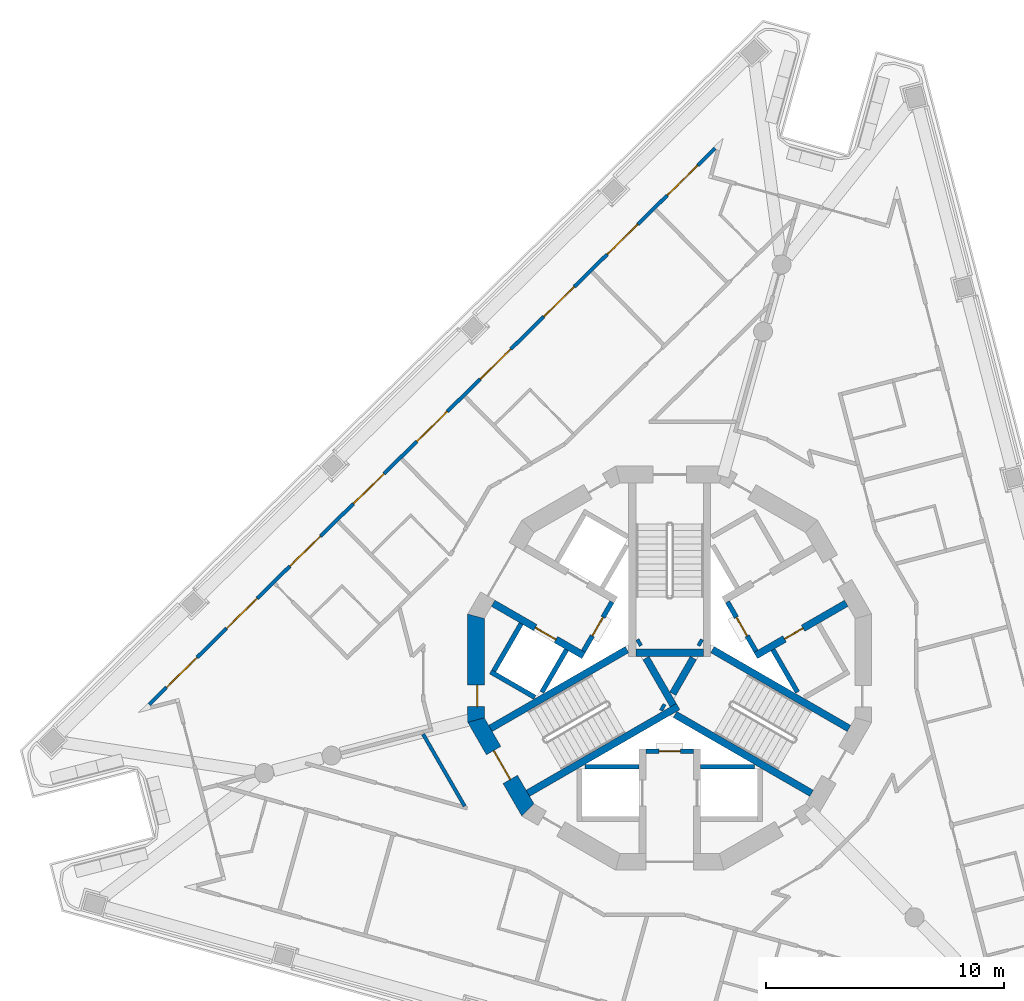
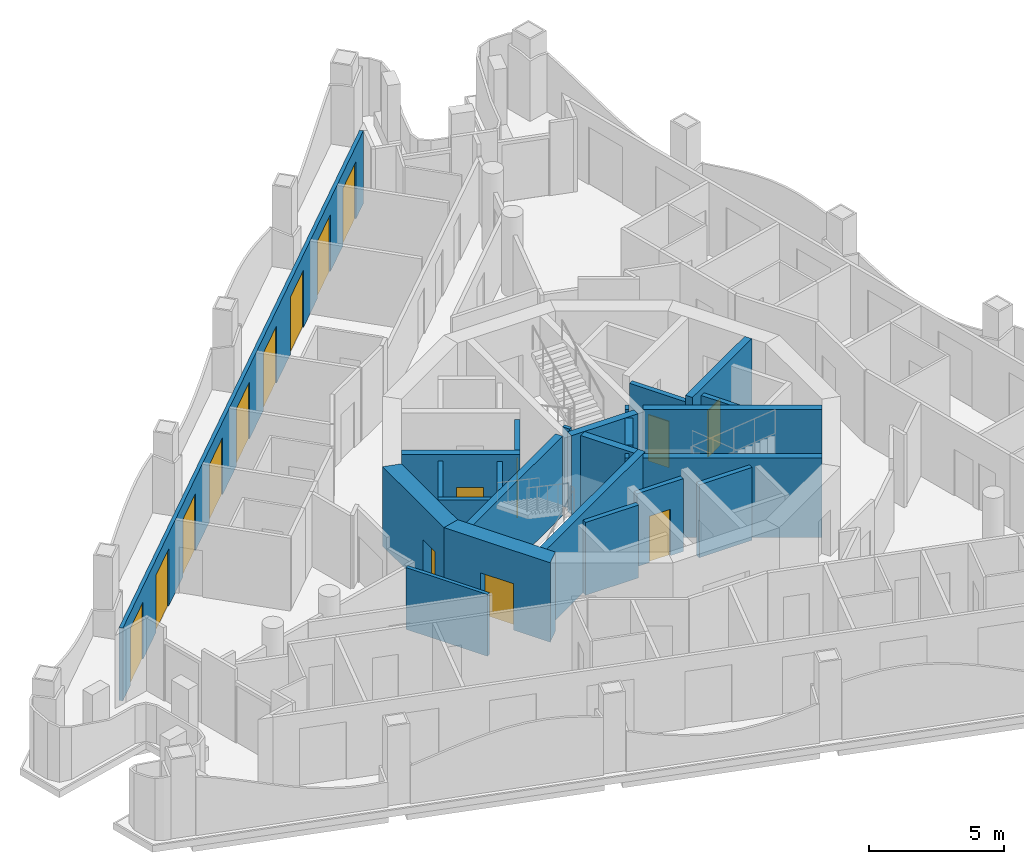
# One storey, part 4 of 14: 25 walls, 16 doors, 16 openings.
"""IFC4 building model written with IfcOpenShell, lengths in metres."""

from ifc_helpers import new_model, si_unit, direction, frame, frame_2d, origin, place, context, subcontext, project, spatial, polyline, rectangle, outline, extrude, material, layer, layer_set, type_object, element, fill, save


model = new_model("IFC4")

# Units and contexts
model_context = context("Model", 3, precision=1e-05, world=origin(), true_north=direction((0.0, 1.0)))
body_context = subcontext(model_context, "Body", "Model", "MODEL_VIEW")
ifc_project = project(units=[si_unit("LENGTHUNIT", "METRE"), si_unit("AREAUNIT", "SQUARE_METRE"), si_unit("VOLUMEUNIT", "CUBIC_METRE"), si_unit("PLANEANGLEUNIT", "RADIAN"), si_unit("MASSUNIT", "GRAM", prefix="KILO")], contexts=[model_context])

# Site, building, storey
site_placement = place(None, origin())
site = spatial("IfcSite", under=ifc_project, at=site_placement, CompositionType="ELEMENT")
building_placement = place(site_placement, origin())
building = spatial("IfcBuilding", under=site, at=building_placement, Name="Trine Commons Tower", CompositionType="ELEMENT")
storey_placement = place(building_placement, frame((0.0, 0.0, 252.89990234375)))
storey = spatial("IfcBuildingStorey", under=building, at=storey_placement, Name="L66", CompositionType="ELEMENT", Elevation=252.89990234375)

# Wall, openings, doors
ifc_material_1 = material(Name="Aluminium-framed insulated wall panel", Category="aluminium")
ifc_layer_1 = layer(ifc_material_1, 0.14990234375)
ifc_layer_set_1 = layer_set([ifc_layer_1], Name="Aluminium-framed insulated wall panel")
wall_type_1 = type_object("IfcWallType", Name="Glazed frame wall 150, EI 60", PredefinedType="SOLIDWALL", material=ifc_layer_set_1)
wall_1_placement = place(storey_placement, frame((57.98974609375, 60.867431640625, 0.0), z_axis=(0.0, 0.0, 1.0), x_axis=(0.713254682671, 0.700904956216, 0.0)))
wall_1 = element("IfcWall", 1, at=wall_1_placement, inside=storey, type_object=wall_type_1, Name="Glazed frame wall F1", PredefinedType="SOLIDWALL", context=body_context, shape_type="SweptSolid", body=[
    extrude(outline(polyline([(0.1494140625, 0.074951171875), (0.1494140625, -0.074951171875), (33.536865234375, -0.074951171875), (33.536865234375, 0.074951171875), (0.1494140625, 0.074951171875)])), origin(), (0.0, 0.0, 1.0), 3.300048828125),
])
opening_1_placement = place(wall_1_placement, frame((1.17138671875, 0.0, 0.0)))
opening_1 = element("IfcOpeningElement", 2, at=opening_1_placement, cuts=wall_1, Name="Opening BD-7F1-01", PredefinedType="OPENING", context=body_context, shape_type="SweptSolid", body=[
    extrude(rectangle(XDim=1.800048828125, YDim=2.60009765625, at=frame_2d((0.89990234375, 1.300048828125))), frame((0.0, 0.0849609375, 0.0), z_axis=(0.0, -1.0, 0.0), x_axis=(1.0, 0.0, 0.0)), (0.0, 0.0, 1.0), 0.169921875),
])
opening_2_placement = place(wall_1_placement, frame((4.71435546875, 0.0, 0.0)))
opening_2 = element("IfcOpeningElement", 3, at=opening_2_placement, cuts=wall_1, Name="Opening BD-7F1-02", PredefinedType="OPENING", context=body_context, shape_type="SweptSolid", body=[
    extrude(rectangle(XDim=1.800048828125, YDim=2.60009765625, at=frame_2d((0.89990234375, 1.300048828125))), frame((0.0, 0.0849609375, 0.0), z_axis=(0.0, -1.0, 0.0), x_axis=(1.0, 0.0, 0.0)), (0.0, 0.0, 1.0), 0.169921875),
])
opening_3_placement = place(wall_1_placement, frame((8.457275390625, 0.0, 0.0)))
opening_3 = element("IfcOpeningElement", 4, at=opening_3_placement, cuts=wall_1, Name="Opening BD-7F1-03", PredefinedType="OPENING", context=body_context, shape_type="SweptSolid", body=[
    extrude(rectangle(XDim=1.800048828125, YDim=2.60009765625, at=frame_2d((0.89990234375, 1.300048828125))), frame((0.0, 0.0849609375, 0.0), z_axis=(0.0, -1.0, 0.0), x_axis=(1.0, 0.0, 0.0)), (0.0, 0.0, 1.0), 0.169921875),
])
opening_4_placement = place(wall_1_placement, frame((12.2001953125, 0.0, 0.0)))
opening_4 = element("IfcOpeningElement", 5, at=opening_4_placement, cuts=wall_1, Name="Opening BD-7F1-04", PredefinedType="OPENING", context=body_context, shape_type="SweptSolid", body=[
    extrude(rectangle(XDim=1.800048828125, YDim=2.60009765625, at=frame_2d((0.89990234375, 1.300048828125))), frame((0.0, 0.0849609375, 0.0), z_axis=(0.0, -1.0, 0.0), x_axis=(1.0, 0.0, 0.0)), (0.0, 0.0, 1.0), 0.169921875),
])
opening_5_placement = place(wall_1_placement, frame((15.943115234375, 0.0, 0.0)))
opening_5 = element("IfcOpeningElement", 6, at=opening_5_placement, cuts=wall_1, Name="Opening BD-7F1-05", PredefinedType="OPENING", context=body_context, shape_type="SweptSolid", body=[
    extrude(rectangle(XDim=1.800048828125, YDim=2.60009765625, at=frame_2d((0.89990234375, 1.300048828125))), frame((0.0, 0.0849609375, 0.0), z_axis=(0.0, -1.0, 0.0), x_axis=(1.0, 0.0, 0.0)), (0.0, 0.0, 1.0), 0.169921875),
])
opening_6_placement = place(wall_1_placement, frame((19.68603515625, 0.0, 0.0)))
opening_6 = element("IfcOpeningElement", 7, at=opening_6_placement, cuts=wall_1, Name="Opening BD-7F1-06", PredefinedType="OPENING", context=body_context, shape_type="SweptSolid", body=[
    extrude(rectangle(XDim=1.800048828125, YDim=2.60009765625, at=frame_2d((0.89990234375, 1.300048828125))), frame((0.0, 0.0849609375, 0.0), z_axis=(0.0, -1.0, 0.0), x_axis=(1.0, 0.0, 0.0)), (0.0, 0.0, 1.0), 0.169921875),
])
opening_7_placement = place(wall_1_placement, frame((23.428955078125, 0.0, 0.0)))
opening_7 = element("IfcOpeningElement", 8, at=opening_7_placement, cuts=wall_1, Name="Opening BD-7F1-07", PredefinedType="OPENING", context=body_context, shape_type="SweptSolid", body=[
    extrude(rectangle(XDim=1.800048828125, YDim=2.60009765625, at=frame_2d((0.89990234375, 1.300048828125))), frame((0.0, 0.0849609375, 0.0), z_axis=(0.0, -1.0, 0.0), x_axis=(1.0, 0.0, 0.0)), (0.0, 0.0, 1.0), 0.169921875),
])
opening_8_placement = place(wall_1_placement, frame((27.171875, 0.0, 0.0)))
opening_8 = element("IfcOpeningElement", 9, at=opening_8_placement, cuts=wall_1, Name="Opening BD-7F1-08", PredefinedType="OPENING", context=body_context, shape_type="SweptSolid", body=[
    extrude(rectangle(XDim=1.800048828125, YDim=2.60009765625, at=frame_2d((0.89990234375, 1.300048828125))), frame((0.0, 0.0849609375, 0.0), z_axis=(0.0, -1.0, 0.0), x_axis=(1.0, 0.0, 0.0)), (0.0, 0.0, 1.0), 0.169921875),
])
opening_9_placement = place(wall_1_placement, frame((30.714599609375, 0.0, 0.0)))
opening_9 = element("IfcOpeningElement", 10, at=opening_9_placement, cuts=wall_1, Name="Opening BD-7F1-09", PredefinedType="OPENING", context=body_context, shape_type="SweptSolid", body=[
    extrude(rectangle(XDim=1.800048828125, YDim=2.60009765625, at=frame_2d((0.89990234375, 1.300048828125))), frame((0.0, 0.0849609375, 0.0), z_axis=(0.0, -1.0, 0.0), x_axis=(1.0, 0.0, 0.0)), (0.0, 0.0, 1.0), 0.169921875),
])
ifc_material_2 = material(Name="Anodised aluminium frame with double glazing", Category="aluminium")
door_type_1 = type_object("IfcDoorType", Name="Sliding loggia door 1800x2600", OperationType="SLIDING_TO_LEFT", PredefinedType="DOOR", material=ifc_material_2)
door_1_placement = place(opening_1_placement, origin())
door_1 = element("IfcDoor", 11, at=door_1_placement, inside=storey, type_object=door_type_1, Name="Loggia door F1 1", OperationType="SLIDING_TO_LEFT", OverallHeight=2.60009765625, OverallWidth=1.800048828125, PredefinedType="DOOR", context=body_context, shape_type="SweptSolid", body=[
    extrude(rectangle(XDim=1.800048828125, YDim=2.60009765625, at=frame_2d((0.89990234375, 1.300048828125))), frame((0.0, 0.02490234375, 0.0), z_axis=(0.0, -1.0, 0.0), x_axis=(1.0, 0.0, 0.0)), (0.0, 0.0, 1.0), 0.050048828125),
])
fill(opening_1, door_1)
door_2_placement = place(opening_2_placement, origin())
door_2 = element("IfcDoor", 12, at=door_2_placement, inside=storey, type_object=door_type_1, Name="Loggia door F1 2", OperationType="SLIDING_TO_LEFT", OverallHeight=2.60009765625, OverallWidth=1.800048828125, PredefinedType="DOOR", context=body_context, shape_type="SweptSolid", body=[
    extrude(rectangle(XDim=1.800048828125, YDim=2.60009765625, at=frame_2d((0.89990234375, 1.300048828125))), frame((0.0, 0.02490234375, 0.0), z_axis=(0.0, -1.0, 0.0), x_axis=(1.0, 0.0, 0.0)), (0.0, 0.0, 1.0), 0.050048828125),
])
fill(opening_2, door_2)
door_3_placement = place(opening_3_placement, origin())
door_3 = element("IfcDoor", 13, at=door_3_placement, inside=storey, type_object=door_type_1, Name="Loggia door F1 3", OperationType="SLIDING_TO_LEFT", OverallHeight=2.60009765625, OverallWidth=1.800048828125, PredefinedType="DOOR", context=body_context, shape_type="SweptSolid", body=[
    extrude(rectangle(XDim=1.800048828125, YDim=2.60009765625, at=frame_2d((0.89990234375, 1.300048828125))), frame((0.0, 0.02490234375, 0.0), z_axis=(0.0, -1.0, 0.0), x_axis=(1.0, 0.0, 0.0)), (0.0, 0.0, 1.0), 0.050048828125),
])
fill(opening_3, door_3)
door_4_placement = place(opening_4_placement, origin())
door_4 = element("IfcDoor", 14, at=door_4_placement, inside=storey, type_object=door_type_1, Name="Loggia door F1 4", OperationType="SLIDING_TO_LEFT", OverallHeight=2.60009765625, OverallWidth=1.800048828125, PredefinedType="DOOR", context=body_context, shape_type="SweptSolid", body=[
    extrude(rectangle(XDim=1.800048828125, YDim=2.60009765625, at=frame_2d((0.89990234375, 1.300048828125))), frame((0.0, 0.02490234375, 0.0), z_axis=(0.0, -1.0, 0.0), x_axis=(1.0, 0.0, 0.0)), (0.0, 0.0, 1.0), 0.050048828125),
])
fill(opening_4, door_4)
door_5_placement = place(opening_5_placement, origin())
door_5 = element("IfcDoor", 15, at=door_5_placement, inside=storey, type_object=door_type_1, Name="Loggia door F1 5", OperationType="SLIDING_TO_LEFT", OverallHeight=2.60009765625, OverallWidth=1.800048828125, PredefinedType="DOOR", context=body_context, shape_type="SweptSolid", body=[
    extrude(rectangle(XDim=1.800048828125, YDim=2.60009765625, at=frame_2d((0.89990234375, 1.300048828125))), frame((0.0, 0.02490234375, 0.0), z_axis=(0.0, -1.0, 0.0), x_axis=(1.0, 0.0, 0.0)), (0.0, 0.0, 1.0), 0.050048828125),
])
fill(opening_5, door_5)
door_6_placement = place(opening_6_placement, origin())
door_6 = element("IfcDoor", 16, at=door_6_placement, inside=storey, type_object=door_type_1, Name="Loggia door F1 6", OperationType="SLIDING_TO_LEFT", OverallHeight=2.60009765625, OverallWidth=1.800048828125, PredefinedType="DOOR", context=body_context, shape_type="SweptSolid", body=[
    extrude(rectangle(XDim=1.800048828125, YDim=2.60009765625, at=frame_2d((0.89990234375, 1.300048828125))), frame((0.0, 0.02490234375, 0.0), z_axis=(0.0, -1.0, 0.0), x_axis=(1.0, 0.0, 0.0)), (0.0, 0.0, 1.0), 0.050048828125),
])
fill(opening_6, door_6)
door_7_placement = place(opening_7_placement, origin())
door_7 = element("IfcDoor", 17, at=door_7_placement, inside=storey, type_object=door_type_1, Name="Loggia door F1 7", OperationType="SLIDING_TO_LEFT", OverallHeight=2.60009765625, OverallWidth=1.800048828125, PredefinedType="DOOR", context=body_context, shape_type="SweptSolid", body=[
    extrude(rectangle(XDim=1.800048828125, YDim=2.60009765625, at=frame_2d((0.89990234375, 1.300048828125))), frame((0.0, 0.02490234375, 0.0), z_axis=(0.0, -1.0, 0.0), x_axis=(1.0, 0.0, 0.0)), (0.0, 0.0, 1.0), 0.050048828125),
])
fill(opening_7, door_7)
door_8_placement = place(opening_8_placement, origin())
door_8 = element("IfcDoor", 18, at=door_8_placement, inside=storey, type_object=door_type_1, Name="Loggia door F1 8", OperationType="SLIDING_TO_LEFT", OverallHeight=2.60009765625, OverallWidth=1.800048828125, PredefinedType="DOOR", context=body_context, shape_type="SweptSolid", body=[
    extrude(rectangle(XDim=1.800048828125, YDim=2.60009765625, at=frame_2d((0.89990234375, 1.300048828125))), frame((0.0, 0.02490234375, 0.0), z_axis=(0.0, -1.0, 0.0), x_axis=(1.0, 0.0, 0.0)), (0.0, 0.0, 1.0), 0.050048828125),
])
fill(opening_8, door_8)
door_9_placement = place(opening_9_placement, origin())
door_9 = element("IfcDoor", 19, at=door_9_placement, inside=storey, type_object=door_type_1, Name="Loggia door F1 9", OperationType="SLIDING_TO_LEFT", OverallHeight=2.60009765625, OverallWidth=1.800048828125, PredefinedType="DOOR", context=body_context, shape_type="SweptSolid", body=[
    extrude(rectangle(XDim=1.800048828125, YDim=2.60009765625, at=frame_2d((0.89990234375, 1.300048828125))), frame((0.0, 0.02490234375, 0.0), z_axis=(0.0, -1.0, 0.0), x_axis=(1.0, 0.0, 0.0)), (0.0, 0.0, 1.0), 0.050048828125),
])
fill(opening_9, door_9)

# Wall, opening, door
ifc_material_3 = material(Name="Fire-rated gypsum shaft wall system")
ifc_layer_2 = layer(ifc_material_3, 0.199951171875)
ifc_layer_set_2 = layer_set([ifc_layer_2], Name="Fire-rated gypsum shaft wall system")
wall_type_2 = type_object("IfcWallType", Name="Lobby end wall 200 mm, EI 120", PredefinedType="PARTITIONING", material=ifc_layer_set_2)
wall_2_placement = place(storey_placement, frame((77.569091796875, 65.2890625, 0.0), z_axis=(0.0, 0.0, 1.0), x_axis=(-0.50012165622, -0.865955154139, 0.0)))
wall_2 = element("IfcWall", 20, at=wall_2_placement, inside=storey, type_object=wall_type_2, Name="Lobby end wall L66", PredefinedType="PARTITIONING", context=body_context, shape_type="SweptSolid", body=[
    extrude(rectangle(XDim=2.39990234375, YDim=0.199951171875, at=frame_2d((1.199951171875, 0.0))), origin(), (0.0, 0.0, 1.0), 3.300048828125),
])
opening_10_placement = place(wall_2_placement, frame((0.749755859375, 0.0, 0.0)))
opening_10 = element("IfcOpeningElement", 21, at=opening_10_placement, cuts=wall_2, Name="Opening K16.07", PredefinedType="OPENING", context=body_context, shape_type="SweptSolid", body=[
    extrude(rectangle(XDim=0.89990234375, YDim=2.10009765625, at=frame_2d((0.449951171875, 1.050048828125))), frame((0.0, 0.10986328125, 0.0), z_axis=(0.0, -1.0, 0.0), x_axis=(1.0, 0.0, 0.0)), (0.0, 0.0, 1.0), 0.219970703125),
])
ifc_material_4 = material(Name="Steel door leaf, fire-rated", Category="steel")
door_type_2 = type_object("IfcDoorType", Name="Riser access door, single leaf 900 x 2100, FD60", OperationType="SINGLE_SWING_LEFT", PredefinedType="DOOR", material=ifc_material_4)
door_10_placement = place(opening_10_placement, frame((0.89990234375, 0.0, 0.0), z_axis=(0.0, 0.0, 1.0), x_axis=(-1.0, 0.0, 0.0)))
door_10 = element("IfcDoor", 22, at=door_10_placement, inside=storey, type_object=door_type_2, Name="Riser door, Mechanical riser L66", OperationType="SINGLE_SWING_RIGHT", OverallHeight=2.10009765625, OverallWidth=0.89990234375, PredefinedType="DOOR", context=body_context, shape_type="SweptSolid", body=[
    extrude(rectangle(XDim=0.89990234375, YDim=2.10009765625, at=frame_2d((0.449951171875, 1.050048828125))), frame((0.0, 0.02490234375, 0.0), z_axis=(0.0, -1.0, 0.0), x_axis=(1.0, 0.0, 0.0)), (0.0, 0.0, 1.0), 0.050048828125),
])
fill(opening_10, door_10)

wall_3_placement = place(storey_placement, frame((79.0, 59.0, 0.0), z_axis=(0.0, 0.0, 1.0), x_axis=(1.0, 0.0, 0.0)))
wall_3 = element("IfcWall", 23, at=wall_3_placement, inside=storey, type_object=wall_type_2, Name="Lobby end wall L66", PredefinedType="PARTITIONING", context=body_context, shape_type="SweptSolid", body=[
    extrude(rectangle(XDim=2.0, YDim=0.199951171875, at=frame_2d((1.0, 0.0))), origin(), (0.0, 0.0, 1.0), 3.300048828125),
])
opening_11_placement = place(wall_3_placement, frame((0.550048828125, 0.0, 0.0)))
opening_11 = element("IfcOpeningElement", 24, at=opening_11_placement, cuts=wall_3, Name="Opening K16.09", PredefinedType="OPENING", context=body_context, shape_type="SweptSolid", body=[
    extrude(rectangle(XDim=0.89990234375, YDim=2.10009765625, at=frame_2d((0.449951171875, 1.050048828125))), frame((0.0, 0.10986328125, 0.0), z_axis=(0.0, -1.0, 0.0), x_axis=(1.0, 0.0, 0.0)), (0.0, 0.0, 1.0), 0.219970703125),
])
door_11_placement = place(opening_11_placement, frame((0.89990234375, 0.0, 0.0), z_axis=(0.0, 0.0, 1.0), x_axis=(-1.0, 0.0, 0.0)))
door_11 = element("IfcDoor", 25, at=door_11_placement, inside=storey, type_object=door_type_2, Name="Riser door, Communications riser L66", OperationType="SINGLE_SWING_RIGHT", OverallHeight=2.10009765625, OverallWidth=0.89990234375, PredefinedType="DOOR", context=body_context, shape_type="SweptSolid", body=[
    extrude(rectangle(XDim=0.89990234375, YDim=2.10009765625, at=frame_2d((0.449951171875, 1.050048828125))), frame((0.0, 0.02490234375, 0.0), z_axis=(0.0, -1.0, 0.0), x_axis=(1.0, 0.0, 0.0)), (0.0, 0.0, 1.0), 0.050048828125),
])
fill(opening_11, door_11)

wall_4_placement = place(storey_placement, frame((83.631103515625, 63.2109375, 0.0), z_axis=(0.0, 0.0, 1.0), x_axis=(-0.50012165622, 0.865955154139, 0.0)))
wall_4 = element("IfcWall", 26, at=wall_4_placement, inside=storey, type_object=wall_type_2, Name="Lobby end wall L66", PredefinedType="PARTITIONING", context=body_context, shape_type="SweptSolid", body=[
    extrude(rectangle(XDim=2.39990234375, YDim=0.199951171875, at=frame_2d((1.199951171875, 0.0))), origin(), (0.0, 0.0, 1.0), 3.300048828125),
])
opening_12_placement = place(wall_4_placement, frame((0.749755859375, 0.0, 0.0)))
opening_12 = element("IfcOpeningElement", 27, at=opening_12_placement, cuts=wall_4, Name="Opening K16.05", PredefinedType="OPENING", context=body_context, shape_type="SweptSolid", body=[
    extrude(rectangle(XDim=0.89990234375, YDim=2.10009765625, at=frame_2d((0.449951171875, 1.050048828125))), frame((0.0, 0.10986328125, 0.0), z_axis=(0.0, -1.0, 0.0), x_axis=(1.0, 0.0, 0.0)), (0.0, 0.0, 1.0), 0.219970703125),
])
door_12_placement = place(opening_12_placement, frame((0.89990234375, 0.0, 0.0), z_axis=(0.0, 0.0, 1.0), x_axis=(-1.0, 0.0, 0.0)))
door_12 = element("IfcDoor", 28, at=door_12_placement, inside=storey, type_object=door_type_2, Name="Riser door, Electrical riser L66", OperationType="SINGLE_SWING_LEFT", OverallHeight=2.10009765625, OverallWidth=0.89990234375, PredefinedType="DOOR", context=body_context, shape_type="SweptSolid", body=[
    extrude(rectangle(XDim=0.89990234375, YDim=2.10009765625, at=frame_2d((0.449951171875, 1.050048828125))), frame((0.0, 0.02490234375, 0.0), z_axis=(0.0, -1.0, 0.0), x_axis=(1.0, 0.0, 0.0)), (0.0, 0.0, 1.0), 0.050048828125),
])
fill(opening_12, door_12)

ifc_material_5 = material(Name="Concrete C50/60", Category="concrete")
ifc_layer_3 = layer(ifc_material_5, 0.300048828125)
ifc_layer_set_3 = layer_set([ifc_layer_3], Name="Concrete C50/60")
wall_type_3 = type_object("IfcWallType", Name="RC shear wall 300 mm, C50/60", PredefinedType="SHEAR", material=ifc_layer_set_3)
wall_5_placement = place(storey_placement, frame((76.381103515625, 63.031005859375, 0.0), z_axis=(0.0, 0.0, 1.0), x_axis=(-0.866059941101, 0.499940174841, 0.0)))
wall_5 = element("IfcWall", 29, at=wall_5_placement, inside=storey, type_object=wall_type_3, Name="Core cross wall SWC-01 L66", PredefinedType="SHEAR", context=body_context, shape_type="SweptSolid", body=[
    extrude(rectangle(XDim=4.400390625, YDim=0.300048828125, at=frame_2d((2.2001953125, 0.0))), origin(), (0.0, 0.0, 1.0), 3.60009765625),
])
opening_13_placement = place(wall_5_placement, frame((1.350341796875, 0.0, 0.0)))
opening_13 = element("IfcOpeningElement", 30, at=opening_13_placement, cuts=wall_5, Name="Opening LD7", PredefinedType="OPENING", context=body_context, shape_type="SweptSolid", body=[
    extrude(rectangle(XDim=1.0, YDim=2.10009765625, at=frame_2d((0.5, 1.050048828125))), frame((0.0, 0.159912109375, 0.0), z_axis=(0.0, -1.0, 0.0), x_axis=(1.0, 0.0, 0.0)), (0.0, 0.0, 1.0), 0.320068359375),
])
ifc_material_6 = material(Name="Stainless steel sliding door leaves", Category="steel")
door_type_3 = type_object("IfcDoorType", Name="Lift landing door, centre-opening sliding 1000 x 2100, FD90", OperationType="DOUBLE_DOOR_SLIDING", PredefinedType="DOOR", material=ifc_material_6)
door_13_placement = place(opening_13_placement, origin())
door_13 = element("IfcDoor", 31, at=door_13_placement, inside=storey, type_object=door_type_3, Name="Lift landing door HR3 L66", OperationType="DOUBLE_DOOR_SLIDING", OverallHeight=2.10009765625, OverallWidth=1.0, PredefinedType="DOOR", context=body_context, shape_type="SweptSolid", body=[
    extrude(rectangle(XDim=1.0, YDim=2.10009765625, at=frame_2d((0.5, 1.050048828125))), frame((0.0, 0.02490234375, 0.0), z_axis=(0.0, -1.0, 0.0), x_axis=(1.0, 0.0, 0.0)), (0.0, 0.0, 1.0), 0.050048828125),
])
fill(opening_13, door_13)

wall_6_placement = place(storey_placement, frame((83.618896484375, 63.031005859375, 0.0), z_axis=(0.0, 0.0, 1.0), x_axis=(0.866059941101, 0.499940174841, 0.0)))
wall_6 = element("IfcWall", 32, at=wall_6_placement, inside=storey, type_object=wall_type_3, Name="Core cross wall SWC-06 L66", PredefinedType="SHEAR", context=body_context, shape_type="SweptSolid", body=[
    extrude(rectangle(XDim=4.400390625, YDim=0.300048828125, at=frame_2d((2.2001953125, 0.0))), origin(), (0.0, 0.0, 1.0), 3.60009765625),
])
opening_14_placement = place(wall_6_placement, frame((1.400390625, 0.0, 0.0)))
opening_14 = element("IfcOpeningElement", 33, at=opening_14_placement, cuts=wall_6, Name="Opening K16.11", PredefinedType="OPENING", context=body_context, shape_type="SweptSolid", body=[
    extrude(rectangle(XDim=0.89990234375, YDim=2.10009765625, at=frame_2d((0.449951171875, 1.050048828125))), frame((0.0, 0.159912109375, 0.0), z_axis=(0.0, -1.0, 0.0), x_axis=(1.0, 0.0, 0.0)), (0.0, 0.0, 1.0), 0.320068359375),
])
door_type_4 = type_object("IfcDoorType", Name="Core room door, single leaf 900 x 2100, FD30S", OperationType="SINGLE_SWING_LEFT", PredefinedType="DOOR", material=ifc_material_4)
door_14_placement = place(opening_14_placement, frame((0.89990234375, 0.0, 0.0), z_axis=(0.0, 0.0, 1.0), x_axis=(-1.0, 0.0, 0.0)))
door_14 = element("IfcDoor", 34, at=door_14_placement, inside=storey, type_object=door_type_4, Name="Door to Pantry L66", OperationType="SINGLE_SWING_LEFT", OverallHeight=2.10009765625, OverallWidth=0.89990234375, PredefinedType="DOOR", context=body_context, shape_type="SweptSolid", body=[
    extrude(rectangle(XDim=0.89990234375, YDim=2.10009765625, at=frame_2d((0.449951171875, 1.050048828125))), frame((0.0, 0.02490234375, 0.0), z_axis=(0.0, -1.0, 0.0), x_axis=(1.0, 0.0, 0.0)), (0.0, 0.0, 1.0), 0.050048828125),
])
fill(opening_14, door_14)

# Walls
wall_7_placement = place(storey_placement, frame((78.199951171875, 63.280029296875, 0.0), z_axis=(0.0, 0.0, 1.0), x_axis=(-0.866009627307, -0.500027324665, 0.0)))
element("IfcWall", 35, at=wall_7_placement, inside=storey, type_object=wall_type_3, Name="Core cross wall SWC-07 L66", PredefinedType="SHEAR", context=body_context, shape_type="SweptSolid", body=[
    extrude(rectangle(XDim=6.631591796875, YDim=0.300048828125, at=frame_2d((3.31591796875, 0.0))), origin(), (0.0, 0.0, 1.0), 3.60009765625),
])
wall_8_placement = place(storey_placement, frame((78.779052734375, 63.614013671875, 0.0), z_axis=(0.0, 0.0, 1.0), x_axis=(-0.867737973955, -0.497021939713, 0.0)))
element("IfcWall", 36, at=wall_8_placement, inside=storey, type_object=wall_type_3, Name="Core cross wall SWC-09 L66", PredefinedType="SHEAR", context=body_context, shape_type="SweptSolid", body=[
    extrude(rectangle(XDim=0.14892578125, YDim=0.300048828125, at=frame_2d((0.074462890625, 0.0))), origin(), (0.0, 0.0, 1.0), 3.60009765625),
])
wall_9_placement = place(storey_placement, frame((79.0029296875, 62.926025390625, 0.0), z_axis=(0.0, 0.0, 1.0), x_axis=(0.499965247104, -0.866045467449, 0.0)))
element("IfcWall", 37, at=wall_9_placement, inside=storey, type_object=wall_type_3, Name="Core cross wall SWC-10 L66", PredefinedType="SHEAR", context=body_context, shape_type="SweptSolid", body=[
    extrude(rectangle(XDim=2.292236328125, YDim=0.300048828125, at=frame_2d((1.14599609375, 0.0))), origin(), (0.0, 0.0, 1.0), 3.60009765625),
])
wall_10_placement = place(storey_placement, frame((79.64599609375, 60.885986328125, 0.0), z_axis=(0.0, 0.0, 1.0), x_axis=(0.867331893649, -0.497730234424, 0.0)))
element("IfcWall", 38, at=wall_10_placement, inside=storey, type_object=wall_type_3, Name="Core cross wall SWC-11 L66", PredefinedType="SHEAR", context=body_context, shape_type="SweptSolid", body=[
    extrude(rectangle(XDim=0.148681640625, YDim=0.300048828125, at=frame_2d((0.07421875, 0.0))), origin(), (0.0, 0.0, 1.0), 3.60009765625),
])
wall_11_placement = place(storey_placement, frame((80.1298828125, 61.424072265625, 0.0), z_axis=(0.0, 0.0, 1.0), x_axis=(0.500014901547, 0.866016800201, 0.0)))
element("IfcWall", 39, at=wall_11_placement, inside=storey, type_object=wall_type_3, Name="Core cross wall SWC-12 L66", PredefinedType="SHEAR", context=body_context, shape_type="SweptSolid", body=[
    extrude(rectangle(XDim=1.734375, YDim=0.300048828125, at=frame_2d((0.8671875, 0.0))), origin(), (0.0, 0.0, 1.0), 3.60009765625),
])
wall_12_placement = place(storey_placement, frame((80.22509765625, 60.552001953125, 0.0), z_axis=(0.0, 0.0, 1.0), x_axis=(0.866009627307, -0.500027324665, 0.0)))
element("IfcWall", 40, at=wall_12_placement, inside=storey, type_object=wall_type_3, Name="Core cross wall SWC-13 L66", PredefinedType="SHEAR", context=body_context, shape_type="SweptSolid", body=[
    extrude(rectangle(XDim=6.631591796875, YDim=0.300048828125, at=frame_2d((3.31591796875, 0.0))), origin(), (0.0, 0.0, 1.0), 3.60009765625),
])
wall_13_placement = place(storey_placement, frame((80.35400390625, 60.885986328125, 0.0), z_axis=(0.0, 0.0, 1.0), x_axis=(-0.866032430508, -0.49998782916, 0.0)))
element("IfcWall", 41, at=wall_13_placement, inside=storey, type_object=wall_type_3, Name="Core cross wall SWC-14 L66", PredefinedType="SHEAR", context=body_context, shape_type="SweptSolid", body=[
    extrude(rectangle(XDim=7.300048828125, YDim=0.300048828125, at=frame_2d((3.64990234375, 0.0))), origin(), (0.0, 0.0, 1.0), 3.60009765625),
])
wall_14_placement = place(storey_placement, frame((81.220947265625, 63.614013671875, 0.0), z_axis=(0.0, 0.0, 1.0), x_axis=(0.867737973955, -0.497021939713, 0.0)))
element("IfcWall", 42, at=wall_14_placement, inside=storey, type_object=wall_type_3, Name="Core cross wall SWC-15 L66", PredefinedType="SHEAR", context=body_context, shape_type="SweptSolid", body=[
    extrude(rectangle(XDim=0.14892578125, YDim=0.300048828125, at=frame_2d((0.074462890625, 0.0))), origin(), (0.0, 0.0, 1.0), 3.60009765625),
])
wall_15_placement = place(storey_placement, frame((81.425048828125, 63.15087890625, 0.0), z_axis=(0.0, 0.0, 1.0), x_axis=(-1.0, 0.0, 0.0)))
element("IfcWall", 43, at=wall_15_placement, inside=storey, type_object=wall_type_3, Name="Core cross wall SWC-16 L66", PredefinedType="SHEAR", context=body_context, shape_type="SweptSolid", body=[
    extrude(rectangle(XDim=2.85009765625, YDim=0.300048828125, at=frame_2d((1.425048828125, 0.0))), origin(), (0.0, 0.0, 1.0), 3.60009765625),
])
wall_16_placement = place(storey_placement, frame((81.800048828125, 63.280029296875, 0.0), z_axis=(0.0, 0.0, 1.0), x_axis=(0.866009627307, -0.500027324665, 0.0)))
element("IfcWall", 44, at=wall_16_placement, inside=storey, type_object=wall_type_3, Name="Core cross wall SWC-18 L66", PredefinedType="SHEAR", context=body_context, shape_type="SweptSolid", body=[
    extrude(rectangle(XDim=6.631591796875, YDim=0.300048828125, at=frame_2d((3.31591796875, 0.0))), origin(), (0.0, 0.0, 1.0), 3.60009765625),
])

# Wall, opening, door
ifc_layer_4 = layer(ifc_material_5, 0.699951171875)
ifc_layer_set_4 = layer_set([ifc_layer_4], Name="Concrete C50/60")
wall_type_4 = type_object("IfcWallType", Name="RC shear wall 700 mm, C50/60", PredefinedType="SHEAR", material=ifc_layer_set_4)
wall_17_placement = place(storey_placement, frame((71.849853515625, 64.777587890625, 0.0), z_axis=(0.0, 0.0, 1.0), x_axis=(0.0, -1.0, 0.0)))
wall_17 = element("IfcWall", 45, at=wall_17_placement, inside=storey, type_object=wall_type_4, Name="Core wall CWG-07 L66", PredefinedType="SHEAR", context=body_context, shape_type="SweptSolid", body=[
    extrude(outline(polyline([(0.0, -0.35009765625), (4.55517578125, -0.35009765625), (4.36767578125, 0.35009765625), (0.1875, 0.35009765625), (0.0, -0.35009765625)])), origin(), (0.0, 0.0, 1.0), 3.60009765625),
])
opening_15_placement = place(wall_17_placement, frame((2.99169921875, 0.0, 0.0)))
opening_15 = element("IfcOpeningElement", 46, at=opening_15_placement, cuts=wall_17, Name="Opening K16.14", PredefinedType="OPENING", context=body_context, shape_type="SweptSolid", body=[
    extrude(rectangle(XDim=0.89990234375, YDim=2.10009765625, at=frame_2d((0.449951171875, 1.050048828125))), frame((0.0, 0.35986328125, 0.0), z_axis=(0.0, -1.0, 0.0), x_axis=(1.0, 0.0, 0.0)), (0.0, 0.0, 1.0), 0.719970703125),
])
door_15_placement = place(opening_15_placement, origin())
door_15 = element("IfcDoor", 47, at=door_15_placement, inside=storey, type_object=door_type_4, Name="Door to Pantry L66", OperationType="SINGLE_SWING_RIGHT", OverallHeight=2.10009765625, OverallWidth=0.89990234375, PredefinedType="DOOR", context=body_context, shape_type="SweptSolid", body=[
    extrude(rectangle(XDim=0.89990234375, YDim=2.10009765625, at=frame_2d((0.449951171875, 1.050048828125))), frame((0.0, 0.0751953125, 0.0), z_axis=(0.0, -1.0, 0.0), x_axis=(1.0, 0.0, 0.0)), (0.0, 0.0, 1.0), 0.050048828125),
])
fill(opening_15, door_15)

wall_18_placement = place(storey_placement, frame((71.802978515625, 60.3974609375, 0.0), z_axis=(0.0, 0.0, 1.0), x_axis=(0.499983800959, -0.866034756103, 0.0)))
wall_18 = element("IfcWall", 48, at=wall_18_placement, inside=storey, type_object=wall_type_4, Name="Core wall CWG-08 L66", PredefinedType="SHEAR", context=body_context, shape_type="SweptSolid", body=[
    extrude(outline(polyline([(0.0, -0.35009765625), (4.55517578125, -0.35009765625), (4.36767578125, 0.35009765625), (0.1875, 0.35009765625), (0.0, -0.35009765625)])), origin(), (0.0, 0.0, 1.0), 3.60009765625),
])
opening_16_placement = place(wall_18_placement, frame((1.577392578125, 0.0, 0.0)))
opening_16 = element("IfcOpeningElement", 49, at=opening_16_placement, cuts=wall_18, Name="Opening K16.02", PredefinedType="OPENING", context=body_context, shape_type="SweptSolid", body=[
    extrude(rectangle(XDim=1.39990234375, YDim=2.10009765625, at=frame_2d((0.699951171875, 1.050048828125))), frame((0.0, 0.35986328125, 0.0), z_axis=(0.0, -1.0, 0.0), x_axis=(1.0, 0.0, 0.0)), (0.0, 0.0, 1.0), 0.719970703125),
])
ifc_material_7 = material(Name="Steel door leaves, fire-rated", Category="steel")
door_type_5 = type_object("IfcDoorType", Name="Stair door, double leaf 1400 x 2100, FD90", OperationType="DOUBLE_DOOR_SINGLE_SWING", PredefinedType="DOOR", material=ifc_material_7)
door_16_placement = place(opening_16_placement, origin())
door_16 = element("IfcDoor", 50, at=door_16_placement, inside=storey, type_object=door_type_5, Name="Stair door to Exit stair ST2C L66", OperationType="DOUBLE_DOOR_SINGLE_SWING", OverallHeight=2.10009765625, OverallWidth=1.39990234375, PredefinedType="DOOR", context=body_context, shape_type="SweptSolid", body=[
    extrude(rectangle(XDim=1.39990234375, YDim=2.10009765625, at=frame_2d((0.699951171875, 1.050048828125))), frame((0.0, 0.02490234375, 0.0), z_axis=(0.0, -1.0, 0.0), x_axis=(1.0, 0.0, 0.0)), (0.0, 0.0, 1.0), 0.050048828125),
])
fill(opening_16, door_16)

# Walls
ifc_layer_5 = layer(ifc_material_3, 0.199951171875)
ifc_layer_set_5 = layer_set([ifc_layer_5], Name="Fire-rated gypsum shaft wall system")
wall_type_5 = type_object("IfcWallType", Name="Shaft wall 200 mm, EI 120", PredefinedType="PARTITIONING", material=ifc_layer_set_5)
wall_19_placement = place(storey_placement, frame((73.7509765625, 64.3759765625, 0.0), z_axis=(0.0, 0.0, 1.0), x_axis=(-0.500136062276, -0.86594683394, 0.0)))
element("IfcWall", 51, at=wall_19_placement, inside=storey, type_object=wall_type_5, Name="Shaft wall L66", PredefinedType="PARTITIONING", context=body_context, shape_type="SweptSolid", body=[
    extrude(rectangle(XDim=2.299072265625, YDim=0.199951171875, at=frame_2d((1.1494140625, 0.0))), origin(), (0.0, 0.0, 1.0), 3.300048828125),
])
wall_20_placement = place(storey_placement, frame((74.324951171875, 61.27392578125, 0.0), z_axis=(0.0, 0.0, 1.0), x_axis=(-0.866102336459, 0.499866725018, 0.0)))
element("IfcWall", 52, at=wall_20_placement, inside=storey, type_object=wall_type_5, Name="Shaft wall L66", PredefinedType="PARTITIONING", context=body_context, shape_type="SweptSolid", body=[
    extrude(rectangle(XDim=2.1484375, YDim=0.199951171875, at=frame_2d((1.07421875, 0.0))), origin(), (0.0, 0.0, 1.0), 3.300048828125),
])
wall_21_placement = place(storey_placement, frame((75.656005859375, 63.27587890625, 0.0), z_axis=(0.0, 0.0, 1.0), x_axis=(-0.500271688072, -0.86586848777, 0.0)))
element("IfcWall", 53, at=wall_21_placement, inside=storey, type_object=wall_type_5, Name="Shaft wall L66", PredefinedType="PARTITIONING", context=body_context, shape_type="SweptSolid", body=[
    extrude(rectangle(XDim=2.064697265625, YDim=0.199951171875, at=frame_2d((1.0322265625, 0.0))), origin(), (0.0, 0.0, 1.0), 3.300048828125),
])
for number, where, z_axis, x_axis, name in (
    (54, (78.699951171875, 58.35009765625, 0.0), (0.0, 0.0, 1.0), (-1.0, 0.0, 0.0), "Shaft wall L66"),
    (55, (81.300048828125, 58.35009765625, 0.0), (0.0, 0.0, 1.0), (1.0, 0.0, 0.0), "Shaft wall L66"),
):
    element("IfcWall", number, at=place(storey_placement, frame(where, z_axis=z_axis, x_axis=x_axis)), inside=storey, type_object=wall_type_5, Name=name, PredefinedType="PARTITIONING", context=body_context, shape_type="SweptSolid", body=[
        extrude(rectangle(XDim=2.264892578125, YDim=0.199951171875, at=frame_2d((1.13232421875, 0.0))), origin(), (0.0, 0.0, 1.0), 3.300048828125),
    ])
wall_22_placement = place(storey_placement, frame((84.343994140625, 63.27587890625, 0.0), z_axis=(0.0, 0.0, 1.0), x_axis=(0.500271688072, -0.86586848777, 0.0)))
element("IfcWall", 56, at=wall_22_placement, inside=storey, type_object=wall_type_5, Name="Shaft wall L66", PredefinedType="PARTITIONING", context=body_context, shape_type="SweptSolid", body=[
    extrude(rectangle(XDim=2.064697265625, YDim=0.199951171875, at=frame_2d((1.0322265625, 0.0))), origin(), (0.0, 0.0, 1.0), 3.300048828125),
])
ifc_material_8 = material(Name="Gypsum plasterboard on steel stud", Category="steel")
ifc_layer_6 = layer(ifc_material_8, 0.14990234375)
ifc_layer_set_6 = layer_set([ifc_layer_6], Name="Gypsum plasterboard on steel stud")
wall_type_6 = type_object("IfcWallType", Name="Unit and corridor wall 150 mm, EI 60", PredefinedType="PARTITIONING", material=ifc_layer_set_6)
wall_23_placement = place(storey_placement, frame((69.625, 59.719970703125, 0.0), z_axis=(0.0, 0.0, 1.0), x_axis=(0.50005889006, -0.865991400923, 0.0)))
element("IfcWall", 57, at=wall_23_placement, inside=storey, type_object=wall_type_6, Name="Partition 024", PredefinedType="PARTITIONING", context=body_context, shape_type="SweptSolid", body=[
    extrude(rectangle(XDim=3.49658203125, YDim=0.14990234375, at=frame_2d((1.748291015625, 0.0))), origin(), (0.0, 0.0, 1.0), 2.800048828125),
])

save(model, "model.ifc")
